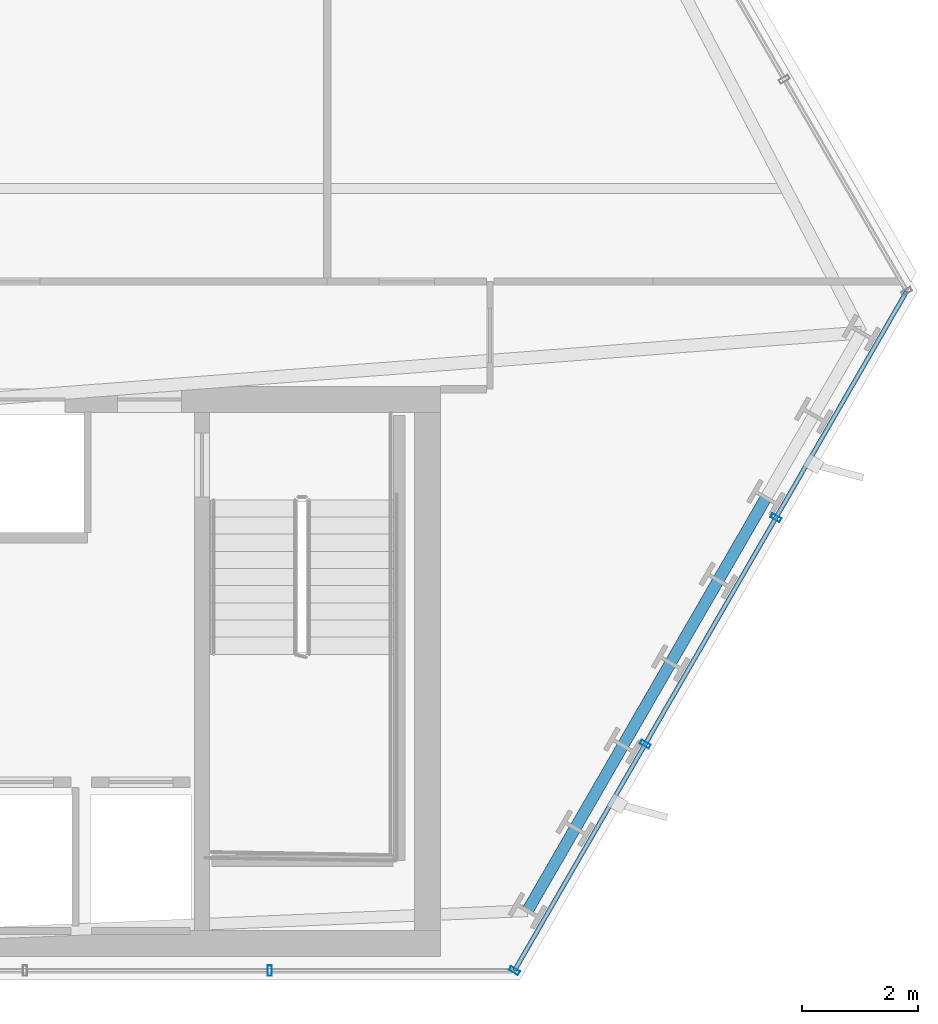
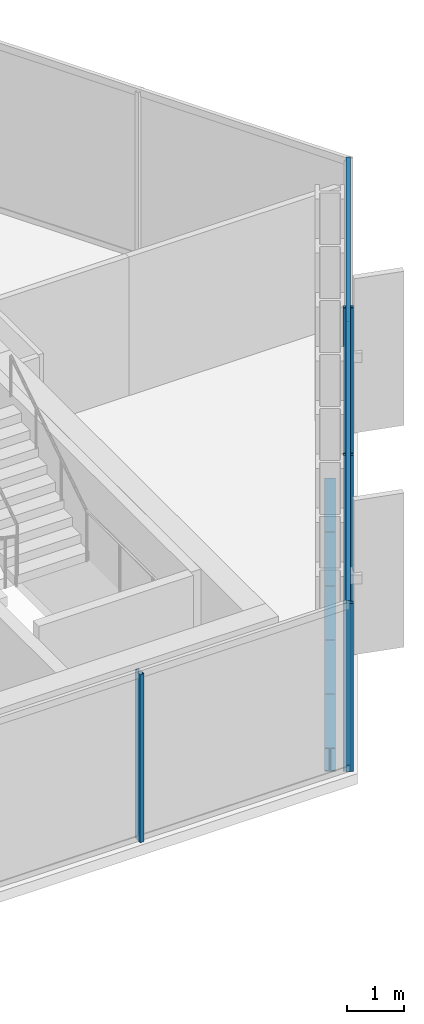
# One storey, part 15 of 31: 6 members, 5 beams, 2 elements without a shape of their own.
"""IFC4 building model written with IfcOpenShell, lengths in metres."""

from ifc_helpers import new_model, si_unit, direction, frame, origin, origin_2d, place, context, subcontext, project, spatial, hollow_rectangle, i_section, extrude, material, layer, layer_set, material_profile, profile_set, type_object, element, aggregate, save


model = new_model("IFC4")

# Units and contexts
model_context = context("Model", 3, precision=1e-05, world=origin(), true_north=direction((0.0, 1.0)))
body_context = subcontext(model_context, "Body", "Model", "MODEL_VIEW")
ifc_project = project(units=[si_unit("LENGTHUNIT", "METRE"), si_unit("AREAUNIT", "SQUARE_METRE"), si_unit("VOLUMEUNIT", "CUBIC_METRE"), si_unit("PLANEANGLEUNIT", "RADIAN"), si_unit("MASSUNIT", "GRAM", prefix="KILO")], contexts=[model_context])

# Site, building, storey
site_placement = place(None, origin())
site = spatial("IfcSite", under=ifc_project, at=site_placement, CompositionType="ELEMENT")
building_placement = place(site_placement, origin())
building = spatial("IfcBuilding", under=site, at=building_placement, Name="Ndaravel Arena Tower", CompositionType="ELEMENT")
storey_placement = place(building_placement, frame((0.0, 0.0, 100.60009765625)))
storey = spatial("IfcBuildingStorey", under=building, at=storey_placement, Name="L23", CompositionType="ELEMENT", Elevation=100.60009765625)

# Beams
ifc_material_1 = material(Name="Steel S355", Category="steel")
ifc_material_profile_1 = material_profile(ifc_material_1, i_section(OverallWidth=0.199951171875, OverallDepth=0.5, WebThickness=0.01025390625, FlangeThickness=0.01611328125, FilletRadius=0.02099609375, at=origin_2d()), Name="IPE 500")
ifc_profile_set_1 = profile_set([ifc_material_profile_1], Name="Steel S355")
beam_type = type_object("IfcBeamType", Name="BM-SPAN-IPE500", PredefinedType="SPANDREL", material=ifc_profile_set_1)
beam_1_placement = place(storey_placement, frame((59.04296875, 6.189697265625, -0.47021484375), z_axis=(0.500049196018, 0.865996998587, 0.0), x_axis=(-0.865996998587, 0.500049196018, 0.0)))
element("IfcBeam", 1, at=beam_1_placement, inside=storey, type_object=beam_type, Name="L23 Perimeter Spandrel Beam SP-02", PredefinedType="SPANDREL", context=body_context, shape_type="SweptSolid", body=[
    extrude(i_section(OverallWidth=0.199951171875, OverallDepth=0.5, WebThickness=0.01025390625, FlangeThickness=0.01611328125, FilletRadius=0.02099609375, at=origin_2d()), origin(), (0.0, 0.0, 1.0), 1.638427734375),
])
beam_2_placement = place(storey_placement, frame((59.8623046875, 7.608642578125, -0.47021484375), z_axis=(0.499984679161, 0.866034249094, 0.0), x_axis=(-0.866034249094, 0.499984679161, 0.0)))
element("IfcBeam", 2, at=beam_2_placement, inside=storey, type_object=beam_type, Name="L23 Perimeter Spandrel Beam SP-03", PredefinedType="SPANDREL", context=body_context, shape_type="SweptSolid", body=[
    extrude(i_section(OverallWidth=0.199951171875, OverallDepth=0.5, WebThickness=0.01025390625, FlangeThickness=0.01611328125, FilletRadius=0.02099609375, at=origin_2d()), origin(), (0.0, 0.0, 1.0), 1.638671875),
])
beam_3_placement = place(storey_placement, frame((60.681640625, 9.02783203125, -0.47021484375), z_axis=(0.500049196018, 0.865996998587, 0.0), x_axis=(-0.865996998587, 0.500049196018, 0.0)))
element("IfcBeam", 3, at=beam_3_placement, inside=storey, type_object=beam_type, Name="L23 Perimeter Spandrel Beam SP-04", PredefinedType="SPANDREL", context=body_context, shape_type="SweptSolid", body=[
    extrude(i_section(OverallWidth=0.199951171875, OverallDepth=0.5, WebThickness=0.01025390625, FlangeThickness=0.01611328125, FilletRadius=0.02099609375, at=origin_2d()), origin(), (0.0, 0.0, 1.0), 1.638427734375),
])
beam_4_placement = place(storey_placement, frame((61.5009765625, 10.44677734375, -0.47021484375), z_axis=(0.499984679161, 0.866034249094, 0.0), x_axis=(-0.866034249094, 0.499984679161, 0.0)))
element("IfcBeam", 4, at=beam_4_placement, inside=storey, type_object=beam_type, Name="L23 Perimeter Spandrel Beam SP-05", PredefinedType="SPANDREL", context=body_context, shape_type="SweptSolid", body=[
    extrude(i_section(OverallWidth=0.199951171875, OverallDepth=0.5, WebThickness=0.01025390625, FlangeThickness=0.01611328125, FilletRadius=0.02099609375, at=origin_2d()), origin(), (0.0, 0.0, 1.0), 1.638671875),
])
beam_5_placement = place(storey_placement, frame((62.3203125, 11.865966796875, -0.47021484375), z_axis=(0.499937439699, 0.866061519979, 0.0), x_axis=(-0.866061519979, 0.499937439699, 0.0)))
element("IfcBeam", 5, at=beam_5_placement, inside=storey, type_object=beam_type, Name="L23 Perimeter Spandrel Beam SP-06", PredefinedType="SPANDREL", context=body_context, shape_type="SweptSolid", body=[
    extrude(i_section(OverallWidth=0.199951171875, OverallDepth=0.5, WebThickness=0.01025390625, FlangeThickness=0.01611328125, FilletRadius=0.02099609375, at=origin_2d()), origin(), (0.0, 0.0, 1.0), 1.638427734375),
])

# Curtain wall, member
ifc_material_2 = material(Name="Aluminium", Category="aluminium")
ifc_layer_1 = layer(ifc_material_2, 0.179931640625)
ifc_layer_set_1 = layer_set([ifc_layer_1], Name="Aluminium")
curtain_wall_type_1 = type_object("IfcCurtainWallType", Name="CW-SYS-03", PredefinedType="NOTDEFINED", material=ifc_layer_set_1)
curtain_wall_1_placement = place(storey_placement, origin())
curtain_wall_1 = element("IfcCurtainWall", 6, at=curtain_wall_1_placement, inside=storey, type_object=curtain_wall_type_1, Name="L23 Faceted Crystal Curtain Wall CW-L23-E01", PredefinedType="NOTDEFINED")
ifc_material_3 = material(Name="Aluminium", Category="aluminium")
ifc_material_profile_2 = material_profile(ifc_material_3, hollow_rectangle(XDim=0.074951171875, YDim=0.179931640625, WallThickness=0.00390625, at=origin_2d()), Name="CW MULLION 75x180x4")
ifc_profile_set_2 = profile_set([ifc_material_profile_2], Name="Aluminium")
member_type_1 = type_object("IfcMemberType", Name="MEM-CW-MUL180", PredefinedType="MULLION", material=ifc_profile_set_2)
member_1_placement = place(storey_placement, frame((54.613525390625, 5.159912109375, 0.0), z_axis=(0.0, 0.0, 1.0), x_axis=(1.0, 0.0, 0.0)))
member_1 = element("IfcMember", 7, at=member_1_placement, type_object=member_type_1, Name="CW-L23-E01 Mullion 07", PredefinedType="MULLION", context=body_context, shape_type="SweptSolid", body=[
    extrude(hollow_rectangle(XDim=0.074951171875, YDim=0.179931640625, WallThickness=0.00390625, at=origin_2d()), origin(), (0.0, 0.0, 1.0), 3.579833984375),
])
aggregate(curtain_wall_1, [member_1])

# Curtain wall, members
ifc_material_4 = material(Name="Aluminium", Category="aluminium")
ifc_layer_2 = layer(ifc_material_4, 0.179931640625)
ifc_layer_set_2 = layer_set([ifc_layer_2], Name="Aluminium")
curtain_wall_type_2 = type_object("IfcCurtainWallType", Name="CW-SYS-01", PredefinedType="NOTDEFINED", material=ifc_layer_set_2)
curtain_wall_2_placement = place(storey_placement, origin())
curtain_wall_2 = element("IfcCurtainWall", 8, at=curtain_wall_2_placement, inside=storey, type_object=curtain_wall_type_2, Name="L23 Faceted Crystal Curtain Wall CW-L23-E02", PredefinedType="NOTDEFINED")
member_2_placement = place(storey_placement, frame((58.818115234375, 5.159912109375, 0.0), z_axis=(0.0, 0.0, 1.0), x_axis=(0.5, 0.866025403784, 0.0)))
member_2 = element("IfcMember", 9, at=member_2_placement, type_object=member_type_1, Name="CW-L23-E02 Mullion 00", PredefinedType="MULLION", context=body_context, shape_type="SweptSolid", body=[
    extrude(hollow_rectangle(XDim=0.074951171875, YDim=0.179931640625, WallThickness=0.00390625, at=origin_2d()), origin(), (0.0, 0.0, 1.0), 3.579833984375),
])
member_3_placement = place(storey_placement, frame((61.064453125, 9.05078125, 0.0), z_axis=(0.0, 0.0, 1.0), x_axis=(0.5, 0.866025403784, 0.0)))
member_3 = element("IfcMember", 10, at=member_3_placement, type_object=member_type_1, Name="CW-L23-E02 Mullion 01", PredefinedType="MULLION", context=body_context, shape_type="SweptSolid", body=[
    extrude(hollow_rectangle(XDim=0.074951171875, YDim=0.179931640625, WallThickness=0.00390625, at=origin_2d()), origin(), (0.0, 0.0, 1.0), 3.579833984375),
])
member_4_placement = place(storey_placement, frame((63.310791015625, 12.94189453125, 0.0), z_axis=(0.0, 0.0, 1.0), x_axis=(0.5, 0.866025403784, 0.0)))
member_4 = element("IfcMember", 11, at=member_4_placement, type_object=member_type_1, Name="CW-L23-E02 Mullion 02", PredefinedType="MULLION", context=body_context, shape_type="SweptSolid", body=[
    extrude(hollow_rectangle(XDim=0.074951171875, YDim=0.179931640625, WallThickness=0.00390625, at=origin_2d()), origin(), (0.0, 0.0, 1.0), 3.579833984375),
])
ifc_material_5 = material(Name="Aluminium", Category="aluminium")
ifc_material_profile_3 = material_profile(ifc_material_5, hollow_rectangle(XDim=0.074951171875, YDim=0.14990234375, WallThickness=0.00390625, at=origin_2d()), Name="CW TRANSOM 75x150x4")
ifc_profile_set_3 = profile_set([ifc_material_profile_3], Name="Aluminium")
member_type_2 = type_object("IfcMemberType", Name="MEM-CW-TRN150", PredefinedType="USERDEFINED", material=ifc_profile_set_3)
member_5_placement = place(storey_placement, frame((58.818115234375, 5.159912109375, 0.039794921875), z_axis=(0.499996317533, 0.866027529847, 0.0), x_axis=(-0.866027529847, 0.499996317533, 0.0)))
member_5 = element("IfcMember", 12, at=member_5_placement, type_object=member_type_2, Name="CW-L23-E02 Transom 01", ObjectType="TRANSOM", PredefinedType="USERDEFINED", context=body_context, shape_type="SweptSolid", body=[
    extrude(hollow_rectangle(XDim=0.074951171875, YDim=0.14990234375, WallThickness=0.00390625, at=origin_2d()), origin(), (0.0, 0.0, 1.0), 13.478515625),
])
member_6_placement = place(storey_placement, frame((58.818115234375, 5.159912109375, 3.539794921875), z_axis=(0.499996317533, 0.866027529847, 0.0), x_axis=(-0.866027529847, 0.499996317533, 0.0)))
member_6 = element("IfcMember", 13, at=member_6_placement, type_object=member_type_2, Name="CW-L23-E02 Transom 02", ObjectType="TRANSOM", PredefinedType="USERDEFINED", context=body_context, shape_type="SweptSolid", body=[
    extrude(hollow_rectangle(XDim=0.074951171875, YDim=0.14990234375, WallThickness=0.00390625, at=origin_2d()), origin(), (0.0, 0.0, 1.0), 13.478515625),
])
aggregate(curtain_wall_2, [member_2, member_3, member_4, member_5, member_6])

save(model, "model.ifc")
